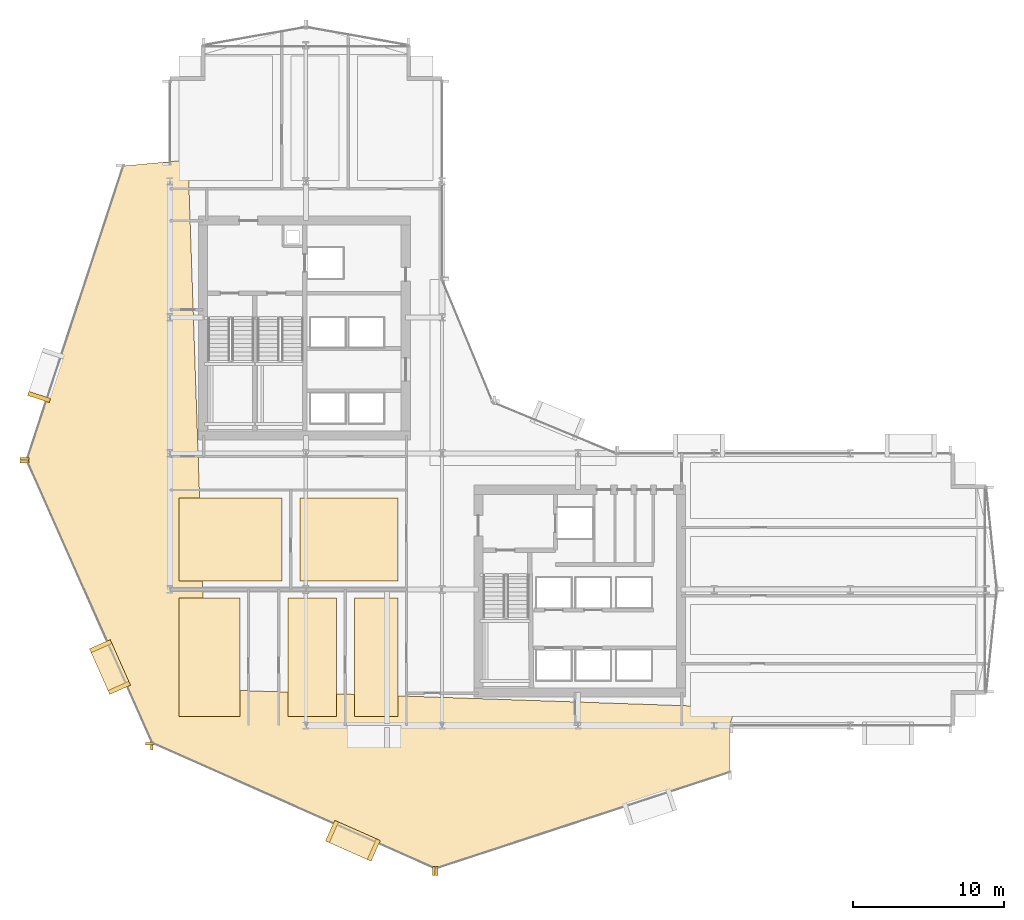
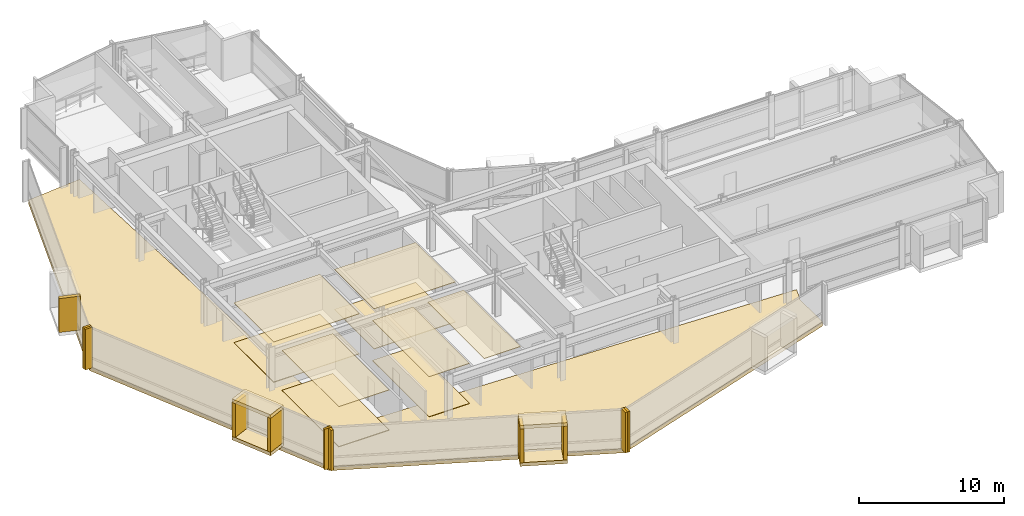
# One storey, part 30 of 34: 25 coverings.
"""IFC4 building model written with IfcOpenShell, lengths in metres."""

import ifcopenshell
import ifcopenshell.guid

model = None  # the IFC model being written
_history = None  # IfcOwnerHistory: only IFC2X3 demands one
_inside = {}  # id of a spatial element -> (the spatial element, [elements in it])
_under = {}  # id of a project, library or spatial element -> (it, [spatial elements below it])
_declared = {}  # id of a project -> (the project, [libraries it declares])
_typed = {}  # id of a type object -> (the type object, [elements of that type])
_made_of = {}  # id of a material, layer set ... -> (it, [elements and type objects made of it])


def new_model(schema):
    """Start an empty IFC model of exactly this schema.

    Asked for "IFC4X3", IfcOpenShell would pick the latest addendum, in which some entities
    have other attributes; the version numbers below select the first issue.
    IFC2X3 requires an IfcOwnerHistory on every rooted entity: one is made here for all.
    """
    global model, _history
    if schema == "IFC4X3":
        model = ifcopenshell.file(schema_version=(4, 3, 0, 0))
    else:
        model = ifcopenshell.file(schema=schema)
    _inside.clear()
    _under.clear()
    _declared.clear()
    _typed.clear()
    _made_of.clear()
    _history = None
    if model.schema == "IFC2X3":
        org = make("IfcOrganization", Name="unknown")
        user = make(
            "IfcPersonAndOrganization",
            ThePerson=make("IfcPerson", FamilyName="unknown"),
            TheOrganization=org,
        )
        app = make(
            "IfcApplication",
            ApplicationDeveloper=org,
            Version="unknown",
            ApplicationFullName="unknown",
            ApplicationIdentifier="unknown",
        )
        _history = make(
            "IfcOwnerHistory",
            OwningUser=user,
            OwningApplication=app,
            ChangeAction="ADDED",
            CreationDate=0,
        )
    return model


def make(cls, **values):
    """One entity of the class cls with the attributes given. An attribute that is None is left unset."""
    return model.create_entity(
        cls, **{name: value for name, value in values.items() if value is not None}
    )


def rooted(cls, **values):
    """An entity with a GlobalId (a new one), such as an element, a storey or a relation."""
    return make(cls, GlobalId=ifcopenshell.guid.new(), OwnerHistory=_history, **values)


def si_unit(unit_type, name, prefix=None):
    """IfcSIUnit, for example si_unit("LENGTHUNIT", "METRE", prefix="MILLI")."""
    return make("IfcSIUnit", UnitType=unit_type, Prefix=prefix, Name=name)


def assignment(units):
    """IfcUnitAssignment: the units of a project."""
    return None if units is None else make("IfcUnitAssignment", Units=units)


def point(xyz):
    """IfcCartesianPoint."""
    return None if xyz is None else make("IfcCartesianPoint", Coordinates=xyz)


def direction(xyz):
    """IfcDirection."""
    return None if xyz is None else make("IfcDirection", DirectionRatios=xyz)


def frame(location, z_axis=None, x_axis=None):
    """IfcAxis2Placement3D, a coordinate frame: its origin and axes. An axis left out is left unset."""
    return make(
        "IfcAxis2Placement3D",
        Location=point(location),
        Axis=direction(z_axis),
        RefDirection=direction(x_axis),
    )


def frame_2d(location, x_axis=None):
    """IfcAxis2Placement2D, a coordinate frame in the plane: its origin and x axis."""
    return make(
        "IfcAxis2Placement2D", Location=point(location), RefDirection=direction(x_axis)
    )


def origin():
    """The frame at (0, 0, 0) with its axes left unset."""
    return frame((0.0, 0.0, 0.0))


def origin_2d():
    """The frame at (0, 0) in the plane with its x axis left unset."""
    return frame_2d((0.0, 0.0))


def place(relative_to, where):
    """IfcLocalPlacement: puts the frame where relative to a parent placement (None: the world)."""
    return make(
        "IfcLocalPlacement", PlacementRelTo=relative_to, RelativePlacement=where
    )


def context(
    kind, dimensions, precision=None, world=None, true_north=None, identifier=None
):
    """IfcGeometricRepresentationContext, for example the 3D "Model" context."""
    return make(
        "IfcGeometricRepresentationContext",
        ContextIdentifier=identifier,
        ContextType=kind,
        CoordinateSpaceDimension=dimensions,
        Precision=precision,
        WorldCoordinateSystem=world,
        TrueNorth=true_north,
    )


def subcontext(parent, identifier, kind, view, scale=None):
    """IfcGeometricRepresentationSubContext, for example "Body" below "Model"."""
    return make(
        "IfcGeometricRepresentationSubContext",
        ContextIdentifier=identifier,
        ContextType=kind,
        ParentContext=parent,
        TargetScale=scale,
        TargetView=view,
    )


def project(units=None, contexts=None):
    """IfcProject with its units and contexts."""
    return rooted(
        "IfcProject",
        Name="project",
        RepresentationContexts=contexts,
        UnitsInContext=assignment(units),
    )


def spatial(cls, under=None, at=None, **own):
    """A site, building, storey or space (cls), placed at a placement, below another one or the project."""
    s = rooted(cls, ObjectPlacement=at, **own)
    if under is not None:
        _under.setdefault(under.id(), (under, []))[1].append(s)
    return s


def polyline(points):
    """IfcPolyline through the points."""
    return make("IfcPolyline", Points=[point(p) for p in points])


def profile(cls, at=None, kind="AREA", **sizes):
    """A parametric profile (cls). Its sizes go by their IFC names, for example OverallWidth=200.0."""
    return make(cls, ProfileType=kind, Position=at, **sizes)


def rectangle(**sizes):
    """IfcRectangleProfileDef."""
    return profile("IfcRectangleProfileDef", **sizes)


def outline(outer, holes=None, kind="AREA"):
    """IfcArbitraryClosedProfileDef: a profile drawn as a closed curve; with holes, ...WithVoids."""
    if holes is None:
        return make("IfcArbitraryClosedProfileDef", ProfileType=kind, OuterCurve=outer)
    return make(
        "IfcArbitraryProfileDefWithVoids",
        ProfileType=kind,
        OuterCurve=outer,
        InnerCurves=holes,
    )


def extrude(swept, where, along, depth):
    """IfcExtrudedAreaSolid: the profile swept, set in the frame where, extruded along a direction by depth."""
    return make(
        "IfcExtrudedAreaSolid",
        SweptArea=swept,
        Position=where,
        ExtrudedDirection=direction(along),
        Depth=depth,
    )


def shape(context_of_items, identifier, shape_type, items):
    """IfcShapeRepresentation: the items that make up one representation, for example the "Body"."""
    return make(
        "IfcShapeRepresentation",
        ContextOfItems=context_of_items,
        RepresentationIdentifier=identifier,
        RepresentationType=shape_type,
        Items=items,
    )


def material(Name=None, Category=None):
    """IfcMaterial."""
    return make("IfcMaterial", Name=Name, Category=Category)


def layer(
    of_material, thickness, ventilated=None, Name=None, Category=None, Priority=None
):
    """IfcMaterialLayer: one layer of a wall or slab, of a material (None: an air gap)."""
    return make(
        "IfcMaterialLayer",
        Material=of_material,
        LayerThickness=thickness,
        IsVentilated=ventilated,
        Name=Name,
        Category=Category,
        Priority=Priority,
    )


def layer_set(layers, Name=None):
    """IfcMaterialLayerSet."""
    return make("IfcMaterialLayerSet", MaterialLayers=layers, LayerSetName=Name)


def made_of(thing, what):
    """Note that an element or type object is made of a material, layer set ...; save() writes the relation."""
    if what is not None:
        _made_of.setdefault(what.id(), (what, []))[1].append(thing)
    return thing


def type_object(cls, material=None, **own):
    """A type object (cls), such as IfcWallType, which elements share."""
    return made_of(rooted(cls, **own), material)


def element(
    cls,
    number,
    at=None,
    inside=None,
    cuts=None,
    type_object=None,
    material=None,
    context=None,
    identifier="Body",
    shape_type=None,
    held_by="IfcProductDefinitionShape",
    body=None,
    shapes=None,
    **own,
):
    """One element of the class cls, such as IfcWall. Its Tag is "e" and its number.

    at: its placement. inside: the storey or other place that contains it. cuts: it is an
    opening in that element (IfcRelVoidsElement). A single representation is given by context,
    identifier, shape_type and body (its items); several are given by shapes. held_by: the class
    of the entity that holds the representations. save() writes the other relations.
    """
    e = rooted(cls, Tag="e%d" % number, ObjectPlacement=at, **own)
    if body is not None:
        shapes = [shape(context, identifier, shape_type, body)]
    if shapes is not None:
        e.Representation = make(held_by, Representations=shapes)
    if inside is not None:
        _inside.setdefault(inside.id(), (inside, []))[1].append(e)
    if cuts is not None:
        rooted(
            "IfcRelVoidsElement", RelatingBuildingElement=cuts, RelatedOpeningElement=e
        )
    if type_object is not None:
        _typed.setdefault(type_object.id(), (type_object, []))[1].append(e)
    return made_of(e, material)


def aggregate(whole, parts):
    """IfcRelAggregates: a whole, such as a stair, and the parts it consists of."""
    return rooted("IfcRelAggregates", RelatingObject=whole, RelatedObjects=parts)


def save(model, path):
    """Write the relations noted so far, then the file.

    IfcRelAggregates (storeys below a building ...), IfcRelContainedInSpatialStructure (elements
    in a storey), IfcRelDefinesByType, IfcRelAssociatesMaterial and IfcRelDeclares: one each for
    every whole, place, type object, material and project.
    """
    for whole, parts in _under.values():
        aggregate(whole, parts)
    for where, things in _inside.values():
        rooted(
            "IfcRelContainedInSpatialStructure",
            RelatedElements=things,
            RelatingStructure=where,
        )
    for kind, things in _typed.values():
        rooted("IfcRelDefinesByType", RelatedObjects=things, RelatingType=kind)
    for what, things in _made_of.values():
        rooted("IfcRelAssociatesMaterial", RelatedObjects=things, RelatingMaterial=what)
    for by, libraries in _declared.values():
        rooted("IfcRelDeclares", RelatingContext=by, RelatedDefinitions=libraries)
    model.write(path)


model = new_model("IFC4")

# Units and contexts
model_context = context("Model", 3, precision=1e-05, world=origin(), true_north=direction((0.0, 1.0)))
body_context = subcontext(model_context, "Body", "Model", "MODEL_VIEW")
ifc_project = project(units=[si_unit("LENGTHUNIT", "METRE"), si_unit("AREAUNIT", "SQUARE_METRE"), si_unit("VOLUMEUNIT", "CUBIC_METRE"), si_unit("PLANEANGLEUNIT", "RADIAN"), si_unit("MASSUNIT", "GRAM", prefix="KILO")], contexts=[model_context])

# Site, building, storey
site_placement = place(None, origin())
site = spatial("IfcSite", under=ifc_project, at=site_placement, CompositionType="ELEMENT")
building_placement = place(site_placement, origin())
building = spatial("IfcBuilding", under=site, at=building_placement, Name="Solvaryn Broadcast Tower", CompositionType="ELEMENT")
storey_placement = place(building_placement, frame((0.0, 0.0, 54.5)))
storey = spatial("IfcBuildingStorey", under=building, at=storey_placement, Name="L12", CompositionType="ELEMENT", Elevation=54.5)

# Coverings
ifc_material_1 = material(Name="Micro-Perforated Acoustic Gypsum Ceiling", Category="concrete")
ifc_layer_1 = layer(ifc_material_1, 0.0400390625)
ifc_layer_set_1 = layer_set([ifc_layer_1], Name="CV-CEIL-ACOUSTIC")
covering_type_1 = type_object("IfcCoveringType", Name="CV-CEIL-ACOUSTIC", PredefinedType="CEILING", material=ifc_layer_set_1)
covering_1_placement = place(storey_placement, frame((0.0, 0.0, 3.3798828125)))
element("IfcCovering", 1, at=covering_1_placement, inside=storey, type_object=covering_type_1, Name="L12 Room Acoustic Ceiling 1", PredefinedType="CEILING", context=body_context, shape_type="SweptSolid", body=[
    extrude(outline(polyline([(9.60009765625, 18.570068359375), (16.429931640625, 18.570068359375), (16.429931640625, 24.050048828125), (9.60009765625, 24.050048828125), (9.60009765625, 18.570068359375)])), origin(), (0.0, 0.0, 1.0), 0.0400390625),
])
covering_2_placement = place(storey_placement, frame((0.0, 0.0, 3.3798828125)))
element("IfcCovering", 2, at=covering_2_placement, inside=storey, type_object=covering_type_1, Name="L12 Room Acoustic Ceiling 2", PredefinedType="CEILING", context=body_context, shape_type="SweptSolid", body=[
    extrude(outline(polyline([(17.60009765625, 18.570068359375), (24.080078125, 18.570068359375), (24.080078125, 24.050048828125), (17.60009765625, 24.050048828125), (17.60009765625, 18.570068359375)])), origin(), (0.0, 0.0, 1.0), 0.0400390625),
])
covering_3_placement = place(storey_placement, frame((0.0, 0.0, 3.3798828125)))
element("IfcCovering", 3, at=covering_3_placement, inside=storey, type_object=covering_type_1, Name="L12 Room Acoustic Ceiling 3", PredefinedType="CEILING", context=body_context, shape_type="SweptSolid", body=[
    extrude(outline(polyline([(9.60009765625, 9.60009765625), (13.6298828125, 9.60009765625), (13.6298828125, 17.429931640625), (9.60009765625, 17.429931640625), (9.60009765625, 9.60009765625)])), origin(), (0.0, 0.0, 1.0), 0.0400390625),
])
covering_4_placement = place(storey_placement, frame((0.0, 0.0, 3.3798828125)))
element("IfcCovering", 4, at=covering_4_placement, inside=storey, type_object=covering_type_1, Name="L12 Room Acoustic Ceiling 4", PredefinedType="CEILING", context=body_context, shape_type="SweptSolid", body=[
    extrude(outline(polyline([(16.800048828125, 9.60009765625), (20.030029296875, 9.60009765625), (20.030029296875, 17.429931640625), (16.800048828125, 17.429931640625), (16.800048828125, 9.60009765625)])), origin(), (0.0, 0.0, 1.0), 0.0400390625),
])
covering_5_placement = place(storey_placement, frame((0.0, 0.0, 3.3798828125)))
element("IfcCovering", 5, at=covering_5_placement, inside=storey, type_object=covering_type_1, Name="L12 Room Acoustic Ceiling 5", PredefinedType="CEILING", context=body_context, shape_type="SweptSolid", body=[
    extrude(outline(polyline([(21.199951171875, 9.60009765625), (24.080078125, 9.60009765625), (24.080078125, 17.429931640625), (21.199951171875, 17.429931640625), (21.199951171875, 9.60009765625)])), origin(), (0.0, 0.0, 1.0), 0.0400390625),
])
ifc_material_2 = material(Name="Newsroom Raised Data Access Flooring", Category="steel")
ifc_layer_2 = layer(ifc_material_2, 0.050048828125)
ifc_layer_set_2 = layer_set([ifc_layer_2], Name="CV-FLOOR-RAISED")
covering_type_2 = type_object("IfcCoveringType", Name="CV-FLOOR-RAISED", PredefinedType="FLOORING", material=ifc_layer_set_2)
covering_6_placement = place(storey_placement, origin())
element("IfcCovering", 6, at=covering_6_placement, inside=storey, type_object=covering_type_2, Name="L12 Room Acoustic Floor Finish 1", PredefinedType="FLOORING", context=body_context, shape_type="SweptSolid", body=[
    extrude(outline(polyline([(9.60009765625, 18.570068359375), (16.429931640625, 18.570068359375), (16.429931640625, 24.050048828125), (9.60009765625, 24.050048828125), (9.60009765625, 18.570068359375)])), origin(), (0.0, 0.0, 1.0), 0.050048828125),
])
covering_7_placement = place(storey_placement, origin())
element("IfcCovering", 7, at=covering_7_placement, inside=storey, type_object=covering_type_2, Name="L12 Room Acoustic Floor Finish 2", PredefinedType="FLOORING", context=body_context, shape_type="SweptSolid", body=[
    extrude(outline(polyline([(17.60009765625, 18.570068359375), (24.080078125, 18.570068359375), (24.080078125, 24.050048828125), (17.60009765625, 24.050048828125), (17.60009765625, 18.570068359375)])), origin(), (0.0, 0.0, 1.0), 0.050048828125),
])
covering_8_placement = place(storey_placement, origin())
element("IfcCovering", 8, at=covering_8_placement, inside=storey, type_object=covering_type_2, Name="L12 Room Acoustic Floor Finish 3", PredefinedType="FLOORING", context=body_context, shape_type="SweptSolid", body=[
    extrude(outline(polyline([(9.60009765625, 9.60009765625), (13.6298828125, 9.60009765625), (13.6298828125, 17.429931640625), (9.60009765625, 17.429931640625), (9.60009765625, 9.60009765625)])), origin(), (0.0, 0.0, 1.0), 0.050048828125),
])
covering_9_placement = place(storey_placement, origin())
element("IfcCovering", 9, at=covering_9_placement, inside=storey, type_object=covering_type_2, Name="L12 Room Acoustic Floor Finish 4", PredefinedType="FLOORING", context=body_context, shape_type="SweptSolid", body=[
    extrude(outline(polyline([(16.800048828125, 9.60009765625), (20.030029296875, 9.60009765625), (20.030029296875, 17.429931640625), (16.800048828125, 17.429931640625), (16.800048828125, 9.60009765625)])), origin(), (0.0, 0.0, 1.0), 0.050048828125),
])
ifc_material_3 = material(Name="Glazed Architectural Terracotta Rainscreen Cladding", Category="masonry")
ifc_layer_3 = layer(ifc_material_3, 0.280029296875)
ifc_layer_set_3 = layer_set([ifc_layer_3], Name="CV-TC-CLAD")
covering_type_3 = type_object("IfcCoveringType", Name="CV-TC-CLAD", PredefinedType="CLADDING", material=ifc_layer_set_3)
covering_10_placement = place(storey_placement, frame((0.348388671875, 30.73828125, 0.27978515625), z_axis=(0.0, 0.0, 1.0), x_axis=(-0.311671636848, -0.950189870912, 0.0)))
element("IfcCovering", 10, at=covering_10_placement, inside=storey, type_object=covering_type_3, Name="L12 Projecting Stone Window Box Cheek 1-2", PredefinedType="CLADDING", context=body_context, shape_type="SweptSolid", body=[
    extrude(rectangle(XDim=0.280029296875, YDim=1.5, at=origin_2d()), origin(), (0.0, 0.0, 1.0), 2.860107421875),
])
for number, where, z_axis, x_axis, name in (
    (11, (5.035888671875, 12.8720703125, 3.1298828125), (0.0, 0.0, 1.0), (0.405939269498, -0.913900054426, 0.0), "L12 Projecting Stone Window Box Hood 2"),
    (12, (5.035888671875, 12.8720703125, -0.01025390625), (0.0, 0.0, 1.0), (0.405939269498, -0.913900054426, 0.0), "L12 Projecting Stone Window Box Sill 2"),
):
    element("IfcCovering", number, at=place(storey_placement, frame(where, z_axis=z_axis, x_axis=x_axis)), inside=storey, type_object=covering_type_3, Name=name, PredefinedType="CLADDING", context=body_context, shape_type="SweptSolid", body=[
        extrude(rectangle(XDim=3.300048828125, YDim=1.5, at=origin_2d()), origin(), (0.0, 0.0, 1.0), 0.300048828125),
    ])
for number, where, z_axis, x_axis, name in (
    (13, (4.423095703125, 14.251953125, 0.27978515625), (0.0, 0.0, 1.0), (0.405939269498, -0.913900054426, 0.0), "L12 Projecting Stone Window Box Cheek 2-1"),
    (14, (5.64892578125, 11.491943359375, 0.27978515625), (0.0, 0.0, 1.0), (0.405939269498, -0.913900054426, 0.0), "L12 Projecting Stone Window Box Cheek 2-2"),
):
    element("IfcCovering", number, at=place(storey_placement, frame(where, z_axis=z_axis, x_axis=x_axis)), inside=storey, type_object=covering_type_3, Name=name, PredefinedType="CLADDING", context=body_context, shape_type="SweptSolid", body=[
        extrude(rectangle(XDim=0.280029296875, YDim=1.5, at=origin_2d()), origin(), (0.0, 0.0, 1.0), 2.860107421875),
    ])
for number, where, z_axis, x_axis, name in (
    (15, (21.10498046875, 1.37890625, 3.1298828125), (0.0, 0.0, 1.0), (0.913900054426, -0.405939269498, 0.0), "L12 Projecting Stone Window Box Hood 3"),
    (16, (21.10498046875, 1.37890625, -0.01025390625), (0.0, 0.0, 1.0), (0.913900054426, -0.405939269498, 0.0), "L12 Projecting Stone Window Box Sill 3"),
):
    element("IfcCovering", number, at=place(storey_placement, frame(where, z_axis=z_axis, x_axis=x_axis)), inside=storey, type_object=covering_type_3, Name=name, PredefinedType="CLADDING", context=body_context, shape_type="SweptSolid", body=[
        extrude(rectangle(XDim=3.300048828125, YDim=1.5, at=origin_2d()), origin(), (0.0, 0.0, 1.0), 0.300048828125),
    ])
for number, where, z_axis, x_axis, name in (
    (17, (19.72509765625, 1.991943359375, 0.27978515625), (0.0, 0.0, 1.0), (0.913900054426, -0.405939269498, 0.0), "L12 Projecting Stone Window Box Cheek 3-1"),
    (18, (22.485107421875, 0.76611328125, 0.27978515625), (0.0, 0.0, 1.0), (0.913900054426, -0.405939269498, 0.0), "L12 Projecting Stone Window Box Cheek 3-2"),
):
    element("IfcCovering", number, at=place(storey_placement, frame(where, z_axis=z_axis, x_axis=x_axis)), inside=storey, type_object=covering_type_3, Name=name, PredefinedType="CLADDING", context=body_context, shape_type="SweptSolid", body=[
        extrude(rectangle(XDim=0.280029296875, YDim=1.5, at=origin_2d()), origin(), (0.0, 0.0, 1.0), 2.860107421875),
    ])
ifc_material_4 = material(Name="Extruded Architectural Terracotta Fin", Category="masonry")
ifc_layer_4 = layer(ifc_material_4, 0.179931640625)
ifc_layer_set_4 = layer_set([ifc_layer_4], Name="CV-TC-FIN")
covering_type_4 = type_object("IfcCoveringType", Name="CV-TC-FIN", PredefinedType="USERDEFINED", material=ifc_layer_set_4)
for number, where, z_axis, x_axis, name in (
    (19, (-0.625732421875, 26.644775390625, 0.0), (0.0, 0.0, 1.0), (1.0, 0.0, 0.0), "L12 Terracotta Vertical Fin FIN-L12-DR1-M01"),
    (20, (-0.6162109375, 26.459716796875, 0.0), (0.0, 0.0, 1.0), (1.0, 0.0, 0.0), "L12 Terracotta Vertical Fin FIN-L12-DR2-M00"),
    (21, (7.670654296875, 7.8017578125, 0.0), (0.0, 0.0, 1.0), (1.0, 0.0, 0.0), "L12 Terracotta Vertical Fin FIN-L12-DR2-M01"),
):
    element("IfcCovering", number, at=place(storey_placement, frame(where, z_axis=z_axis, x_axis=x_axis)), inside=storey, type_object=covering_type_4, Name=name, ObjectType="FIN", PredefinedType="USERDEFINED", context=body_context, shape_type="SweptSolid", body=[
        extrude(rectangle(XDim=0.580078125, YDim=0.179931640625, at=origin_2d()), origin(), (0.0, 0.0, 1.0), 3.419921875),
    ])
for number, where, z_axis, x_axis, name in (
    (22, (7.8017578125, 7.670654296875, 0.0), (0.0, 0.0, 1.0), (1.0, 0.0, 0.0), "L12 Terracotta Vertical Fin FIN-L12-DR3-M00"),
    (23, (26.459716796875, -0.6162109375, 0.0), (0.0, 0.0, 1.0), (1.0, 0.0, 0.0), "L12 Terracotta Vertical Fin FIN-L12-DR3-M01"),
    (24, (26.644775390625, -0.625732421875, 0.0), (0.0, 0.0, 1.0), (1.0, 0.0, 0.0), "L12 Terracotta Vertical Fin FIN-L12-DR4-M00"),
):
    element("IfcCovering", number, at=place(storey_placement, frame(where, z_axis=z_axis, x_axis=x_axis)), inside=storey, type_object=covering_type_4, Name=name, ObjectType="FIN", PredefinedType="USERDEFINED", context=body_context, shape_type="SweptSolid", body=[
        extrude(rectangle(XDim=0.179931640625, YDim=0.580078125, at=origin_2d()), origin(), (0.0, 0.0, 1.0), 3.419921875),
    ])
ifc_material_5 = material(Name="Sculpted Architectural Terracotta Wave Fascia", Category="masonry")
ifc_layer_5 = layer(ifc_material_5, 0.340087890625)
ifc_layer_set_5 = layer_set([ifc_layer_5], Name="CV-WAVE-TRAY")
covering_type_5 = type_object("IfcCoveringType", Name="CV-WAVE-TRAY", PredefinedType="CLADDING", material=ifc_layer_set_5)
covering_11_placement = place(storey_placement, frame((0.0, 0.0, -0.300048828125)))
element("IfcCovering", 25, at=covering_11_placement, inside=storey, type_object=covering_type_5, Name="L12 Stepped Cylindrical Drum Floor Apron", PredefinedType="CLADDING", context=body_context, shape_type="SweptSolid", body=[
    extrude(outline(polyline([(10.199951171875, 46.416015625), (5.916015625, 46.01611328125), (-0.464111328125, 26.56005859375), (7.846923828125, 7.846923828125), (26.56005859375, -0.464111328125), (46.01611328125, 5.916015625), (46.01611328125, 9.0), (46.416015625, 10.199951171875), (11.39990234375, 11.39990234375), (10.199951171875, 46.416015625)])), origin(), (0.0, 0.0, 1.0), 0.330078125),
])

save(model, "model.ifc")
